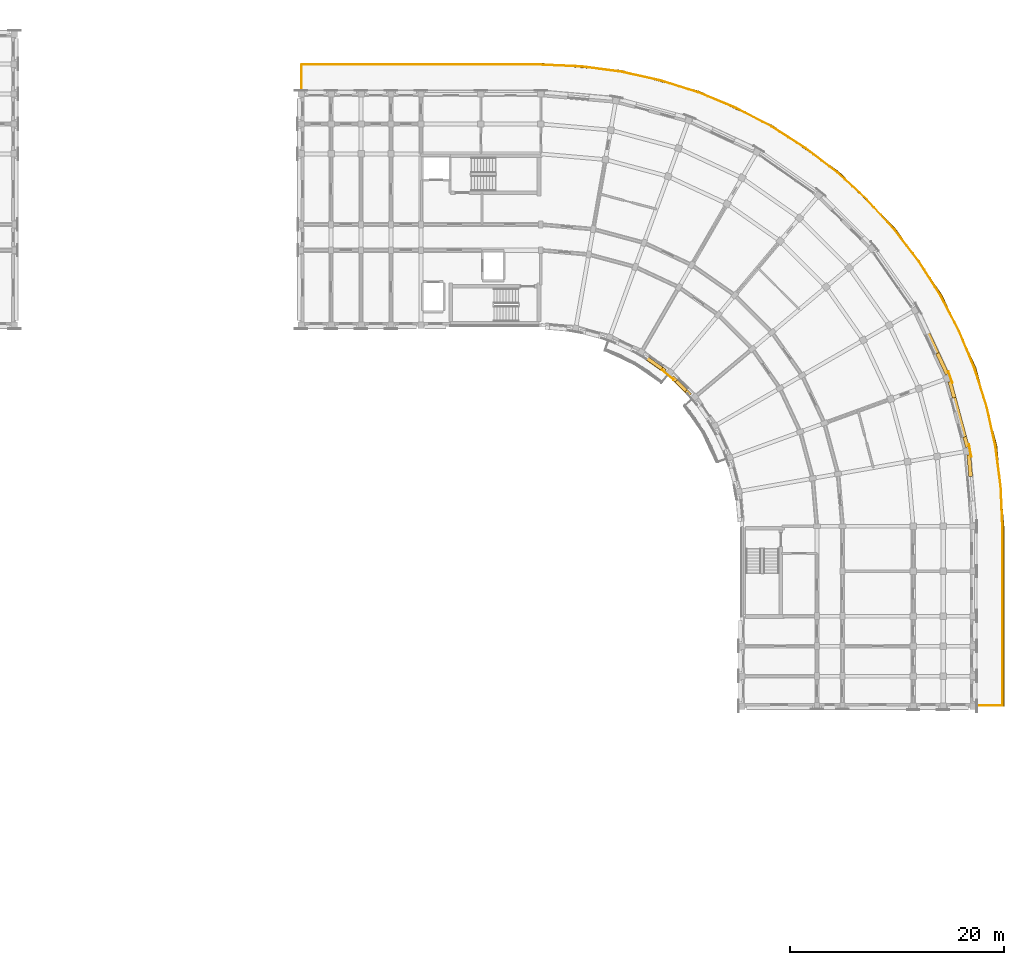
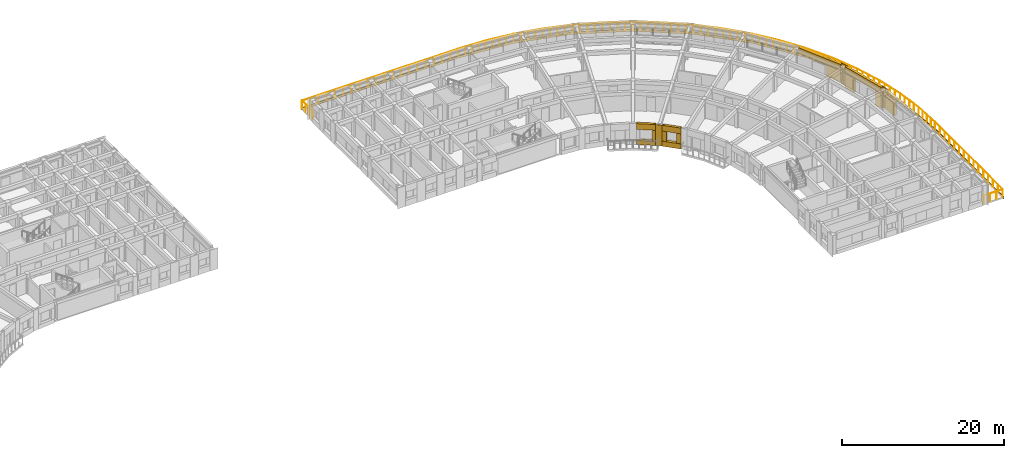
# One storey, part 40 of 41: 17 coverings, 1 railing.
"""IFC4 building model written with IfcOpenShell, lengths in metres."""

from ifc_helpers import new_model, si_unit, direction, frame, origin, origin_2d, place, context, subcontext, project, spatial, polyline, circle, outline, extrude, material, layer, layer_set, type_object, element, save


model = new_model("IFC4")

# Units and contexts
model_context = context("Model", 3, precision=1e-05, world=origin(), true_north=direction((0.0, 1.0)))
body_context = subcontext(model_context, "Body", "Model", "MODEL_VIEW")
ifc_project = project(units=[si_unit("LENGTHUNIT", "METRE"), si_unit("AREAUNIT", "SQUARE_METRE"), si_unit("VOLUMEUNIT", "CUBIC_METRE"), si_unit("PLANEANGLEUNIT", "RADIAN"), si_unit("MASSUNIT", "GRAM", prefix="KILO")], contexts=[model_context])

# Site, building, storey
site_placement = place(None, origin())
site = spatial("IfcSite", under=ifc_project, at=site_placement, CompositionType="ELEMENT")
building_placement = place(site_placement, origin())
building = spatial("IfcBuilding", under=site, at=building_placement, Name="Kiranvali Square Residences", CompositionType="ELEMENT")
storey_placement = place(building_placement, frame((0.0, 0.0, 33.89990234375)))
storey = spatial("IfcBuildingStorey", under=building, at=storey_placement, Name="L10", CompositionType="ELEMENT", Elevation=33.89990234375)

# Coverings
ifc_material_1 = material(Name="Carved Porbandar limestone classical entablature and cornice", Category="masonry")
ifc_layer_1 = layer(ifc_material_1, 0.449951171875)
ifc_layer_set_1 = layer_set([ifc_layer_1], Name="Carved Porbandar limestone classical entablature and cornice")
covering_type_1 = type_object("IfcCoveringType", Name="COV-CLAD-CORN", PredefinedType="CLADDING", material=ifc_layer_set_1)
covering_1_placement = place(storey_placement, frame((0.0, 0.0, -0.27978515625)))
element("IfcCovering", 1, at=covering_1_placement, inside=storey, type_object=covering_type_1, Name="Block B L10 stepped curved terrace stone cornice band", PredefinedType="CLADDING", context=body_context, shape_type="SweptSolid", body=[
    extrude(outline(polyline([(97.39990234375, 131.001953125), (119.800048828125, 131.001953125), (127.302001953125, 130.345703125), (134.575927734375, 128.396484375), (141.40087890625, 125.214111328125), (147.56982421875, 120.89453125), (152.89453125, 115.56982421875), (157.214111328125, 109.40087890625), (160.396484375, 102.575927734375), (162.345703125, 95.302001953125), (163.001953125, 87.800048828125), (163.001953125, 71.0), (163.0849609375, 71.0), (163.0849609375, 87.800048828125), (162.427490234375, 95.31640625), (160.474609375, 102.604248046875), (157.285888671875, 109.4423828125), (152.958251953125, 115.623046875), (147.623046875, 120.958251953125), (141.4423828125, 125.285888671875), (134.604248046875, 128.474609375), (127.31640625, 130.427490234375), (119.800048828125, 131.0849609375), (97.39990234375, 131.0849609375), (97.39990234375, 131.001953125)])), origin(), (0.0, 0.0, 1.0), 0.35986328125),
])
ifc_material_2 = material(Name="Honed Porbandar limestone ashlar facade cladding", Category="masonry")
ifc_layer_2 = layer(ifc_material_2, 0.3798828125)
ifc_layer_set_2 = layer_set([ifc_layer_2], Name="Honed Porbandar limestone ashlar facade cladding")
covering_type_2 = type_object("IfcCoveringType", Name="COV-CLAD-JAMB", PredefinedType="CLADDING", material=ifc_layer_set_2)
covering_2_placement = place(storey_placement, frame((0.0, 0.0, 0.530029296875)))
element("IfcCovering", 2, at=covering_2_placement, inside=storey, type_object=covering_type_2, Name="L10 deep limestone window jamb reveal B-L10-CRV-06.R", PredefinedType="CLADDING", context=body_context, shape_type="SweptSolid", body=[
    extrude(outline(polyline([(156.698486328125, 103.90283203125), (157.6162109375, 101.93505859375), (157.94189453125, 102.0869140625), (157.0244140625, 104.0546875), (156.698486328125, 103.90283203125)])), origin(), (0.0, 0.0, 1.0), 1.75),
])
covering_3_placement = place(storey_placement, origin())
element("IfcCovering", 3, at=covering_3_placement, inside=storey, type_object=covering_type_2, Name="L10 deep limestone window jamb reveal B-L10-CRV-07.L", PredefinedType="CLADDING", context=body_context, shape_type="SweptSolid", body=[
    extrude(outline(polyline([(157.854736328125, 101.27978515625), (158.260986328125, 99.763427734375), (158.608154296875, 99.8564453125), (158.201904296875, 101.372802734375), (157.854736328125, 101.27978515625)])), origin(), (0.0, 0.0, 1.0), 2.18017578125),
])
covering_4_placement = place(storey_placement, origin())
element("IfcCovering", 4, at=covering_4_placement, inside=storey, type_object=covering_type_2, Name="L10 deep limestone window jamb reveal B-L10-CRV-07.R", PredefinedType="CLADDING", context=body_context, shape_type="SweptSolid", body=[
    extrude(outline(polyline([(159.237548828125, 96.118408203125), (159.49609375, 95.153564453125), (159.84326171875, 95.24658203125), (159.584716796875, 96.211669921875), (159.237548828125, 96.118408203125)])), origin(), (0.0, 0.0, 1.0), 2.18017578125),
])
covering_5_placement = place(storey_placement, frame((0.0, 0.0, 0.380126953125)))
element("IfcCovering", 5, at=covering_5_placement, inside=storey, type_object=covering_type_2, Name="L10 deep limestone window jamb reveal B-L10-CRV-08.L", PredefinedType="CLADDING", context=body_context, shape_type="SweptSolid", body=[
    extrude(outline(polyline([(159.6171875, 94.466796875), (159.79345703125, 92.453369140625), (160.151611328125, 92.484619140625), (159.975341796875, 94.498046875), (159.6171875, 94.466796875)])), origin(), (0.0, 0.0, 1.0), 1.89990234375),
])
covering_6_placement = place(storey_placement, frame((0.0, 0.0, 0.6220703125)))
element("IfcCovering", 6, at=covering_6_placement, inside=storey, type_object=covering_type_2, Name="L10 deep limestone window jamb reveal B-L10-GDN-03.R", PredefinedType="CLADDING", context=body_context, shape_type="SweptSolid", body=[
    extrude(outline(polyline([(131.00244140625, 102.404052734375), (131.328857421875, 102.175537109375), (131.523681640625, 102.45361328125), (131.197265625, 102.68212890625), (131.00244140625, 102.404052734375)])), origin(), (0.0, 0.0, 1.0), 1.650146484375),
])
covering_7_placement = place(storey_placement, frame((0.0, 0.0, 0.772216796875)))
element("IfcCovering", 7, at=covering_7_placement, inside=storey, type_object=covering_type_2, Name="L10 deep limestone window jamb reveal B-L10-GDN-04.L", PredefinedType="CLADDING", context=body_context, shape_type="SweptSolid", body=[
    extrude(outline(polyline([(131.955078125, 101.650146484375), (132.343017578125, 101.26220703125), (132.5830078125, 101.502197265625), (132.195068359375, 101.89013671875), (131.955078125, 101.650146484375)])), origin(), (0.0, 0.0, 1.0), 1.5),
])
covering_8_placement = place(storey_placement, frame((0.0, 0.0, 0.772216796875)))
element("IfcCovering", 8, at=covering_8_placement, inside=storey, type_object=covering_type_2, Name="L10 deep limestone window jamb reveal B-L10-GDN-04.R", PredefinedType="CLADDING", context=body_context, shape_type="SweptSolid", body=[
    extrude(outline(polyline([(133.26220703125, 100.343017578125), (133.650146484375, 99.955078125), (133.89013671875, 100.195068359375), (133.502197265625, 100.5830078125), (133.26220703125, 100.343017578125)])), origin(), (0.0, 0.0, 1.0), 1.5),
])
ifc_layer_3 = layer(ifc_material_2, 0.06494140625)
ifc_layer_set_3 = layer_set([ifc_layer_3], Name="Honed Porbandar limestone ashlar facade cladding")
covering_type_3 = type_object("IfcCoveringType", Name="COV-CLAD-PIER", PredefinedType="CLADDING", material=ifc_layer_set_3)
covering_9_placement = place(storey_placement, frame((0.0, 0.0, 0.005126953125)))
element("IfcCovering", 9, at=covering_9_placement, inside=storey, type_object=covering_type_3, Name="L10 Classical limestone corner pilaster CLAD-PR-B-L10-A07", PredefinedType="CLADDING", context=body_context, shape_type="SweptSolid", body=[
    extrude(outline(polyline([(158.307861328125, 101.198486328125), (157.9111328125, 102.28857421875), (157.84765625, 102.265380859375), (158.244384765625, 101.17529296875), (158.307861328125, 101.198486328125)])), origin(), (0.0, 0.0, 1.0), 3.139892578125),
])
covering_10_placement = place(storey_placement, frame((0.0, 0.0, 0.005126953125)))
element("IfcCovering", 10, at=covering_10_placement, inside=storey, type_object=covering_type_3, Name="L10 Classical limestone corner pilaster CLAD-PR-B-L10-A08", PredefinedType="CLADDING", context=body_context, shape_type="SweptSolid", body=[
    extrude(outline(polyline([(160.04931640625, 94.30810546875), (159.847900390625, 95.450439453125), (159.781494140625, 95.438720703125), (159.98291015625, 94.29638671875), (160.04931640625, 94.30810546875)])), origin(), (0.0, 0.0, 1.0), 3.139892578125),
])
ifc_layer_4 = layer(ifc_material_2, 0.050048828125)
ifc_layer_set_4 = layer_set([ifc_layer_4], Name="Honed Porbandar limestone ashlar facade cladding")
covering_type_4 = type_object("IfcCoveringType", Name="COV-CLAD-PIER-IN", PredefinedType="CLADDING", material=ifc_layer_set_4)
covering_11_placement = place(storey_placement, frame((0.0, 0.0, 0.005126953125)))
element("IfcCovering", 11, at=covering_11_placement, inside=storey, type_object=covering_type_4, Name="L10 Classical garden courtyard pilaster CLAD-PRIN-B-L10-A04", PredefinedType="CLADDING", context=body_context, shape_type="SweptSolid", body=[
    extrude(outline(polyline([(131.111572265625, 102.36962890625), (132.18408203125, 101.4697265625), (132.2275390625, 101.521484375), (131.155029296875, 102.42138671875), (131.111572265625, 102.36962890625)])), origin(), (0.0, 0.0, 1.0), 3.139892578125),
])
ifc_layer_5 = layer(ifc_material_2, 0.360107421875)
ifc_layer_set_5 = layer_set([ifc_layer_5], Name="Honed Porbandar limestone ashlar facade cladding")
covering_type_5 = type_object("IfcCoveringType", Name="COV-CLAD-WALL", PredefinedType="CLADDING", material=ifc_layer_set_5)
covering_12_placement = place(storey_placement, frame((0.0, 0.0, 2.280029296875)))
element("IfcCovering", 12, at=covering_12_placement, inside=storey, type_object=covering_type_5, Name="L10 light limestone spandrel lintel B-L10-CRV-06", PredefinedType="CLADDING", context=body_context, shape_type="SweptSolid", body=[
    extrude(outline(polyline([(154.935791015625, 107.68310546875), (157.6162109375, 101.93505859375), (157.94189453125, 102.0869140625), (155.26171875, 107.8349609375), (154.935791015625, 107.68310546875)])), origin(), (0.0, 0.0, 1.0), 0.864990234375),
])
covering_13_placement = place(storey_placement, frame((0.0, 0.0, 2.18017578125)))
element("IfcCovering", 13, at=covering_13_placement, inside=storey, type_object=covering_type_5, Name="L10 light limestone spandrel lintel B-L10-CRV-07", PredefinedType="CLADDING", context=body_context, shape_type="SweptSolid", body=[
    extrude(outline(polyline([(157.854736328125, 101.27978515625), (159.49609375, 95.153564453125), (159.84326171875, 95.24658203125), (158.201904296875, 101.372802734375), (157.854736328125, 101.27978515625)])), origin(), (0.0, 0.0, 1.0), 0.96484375),
])
covering_14_placement = place(storey_placement, frame((0.0, 0.0, 2.272216796875)))
element("IfcCovering", 14, at=covering_14_placement, inside=storey, type_object=covering_type_5, Name="L10 light limestone spandrel lintel B-L10-GDN-03", PredefinedType="CLADDING", context=body_context, shape_type="SweptSolid", body=[
    extrude(outline(polyline([(129.365478515625, 103.55029296875), (131.328857421875, 102.175537109375), (131.523681640625, 102.45361328125), (129.56005859375, 103.828369140625), (129.365478515625, 103.55029296875)])), origin(), (0.0, 0.0, 1.0), 0.872802734375),
])
covering_15_placement = place(storey_placement, frame((0.0, 0.0, 2.272216796875)))
element("IfcCovering", 15, at=covering_15_placement, inside=storey, type_object=covering_type_5, Name="L10 light limestone spandrel lintel B-L10-GDN-04", PredefinedType="CLADDING", context=body_context, shape_type="SweptSolid", body=[
    extrude(outline(polyline([(131.955078125, 101.650146484375), (133.650146484375, 99.955078125), (133.89013671875, 100.195068359375), (132.195068359375, 101.89013671875), (131.955078125, 101.650146484375)])), origin(), (0.0, 0.0, 1.0), 0.872802734375),
])
ifc_layer_6 = layer(ifc_material_2, 0.320068359375)
ifc_layer_set_6 = layer_set([ifc_layer_6], Name="Honed Porbandar limestone ashlar facade cladding")
covering_type_6 = type_object("IfcCoveringType", Name="COV-CLAD-WALL-UP", PredefinedType="CLADDING", material=ifc_layer_set_6)
covering_16_placement = place(storey_placement, frame((0.0, 0.0, 0.005126953125)))
element("IfcCovering", 16, at=covering_16_placement, inside=storey, type_object=covering_type_6, Name="L10 limestone window sill apron B-L10-GDN-03", PredefinedType="CLADDING", context=body_context, shape_type="SweptSolid", body=[
    extrude(outline(polyline([(129.34814453125, 103.52587890625), (131.311767578125, 102.15087890625), (131.523681640625, 102.45361328125), (129.56005859375, 103.828369140625), (129.34814453125, 103.52587890625)])), origin(), (0.0, 0.0, 1.0), 0.616943359375),
])
covering_17_placement = place(storey_placement, frame((0.0, 0.0, 0.005126953125)))
element("IfcCovering", 17, at=covering_17_placement, inside=storey, type_object=covering_type_6, Name="L10 limestone window sill apron B-L10-GDN-04", PredefinedType="CLADDING", context=body_context, shape_type="SweptSolid", body=[
    extrude(outline(polyline([(131.933837890625, 101.62890625), (133.62890625, 99.933837890625), (133.89013671875, 100.195068359375), (132.195068359375, 101.89013671875), (131.933837890625, 101.62890625)])), origin(), (0.0, 0.0, 1.0), 0.76708984375),
])

# Railing
ifc_material_3 = material(Name="Powder-coated architectural bronze balustrade", Category="steel")
railing_type = type_object("IfcRailingType", Name="RL-TER-GOLD-1200", PredefinedType="BALUSTRADE", material=ifc_material_3)
railing_placement = place(storey_placement, frame((97.449951171875, 128.239990234375, 0.0)))
element("IfcRailing", 18, at=railing_placement, inside=storey, type_object=railing_type, Name="Block B L10 stepped curved corner terrace gold balustrade", PredefinedType="BALUSTRADE", context=body_context, shape_type="SweptSolid", body=[
    extrude(circle(Radius=0.02392578125, at=origin_2d()), frame((0.0, 0.0, 1.17578125), z_axis=(0.0, 1.0, 0.0), x_axis=(-1.0, 0.0, 0.0)), (0.0, 0.0, 1.0), 2.699951171875),
    extrude(circle(Radius=0.02392578125, at=origin_2d()), frame((0.0, 2.699951171875, 1.17578125), z_axis=(1.0, 0.0, 0.0), x_axis=(0.0, 1.0, 0.0)), (0.0, 0.0, 1.0), 22.35009765625),
    extrude(circle(Radius=0.02392578125, at=origin_2d()), frame((22.35009765625, 2.699951171875, 1.17578125), z_axis=(0.999049291375, -0.043594878169, 0.0), x_axis=(0.043594878169, 0.999049291375, 0.0)), (0.0, 0.0, 1.0), 3.763427734375),
    extrude(circle(Radius=0.02392578125, at=origin_2d()), frame((26.10986328125, 2.535888671875, 1.17578125), z_axis=(0.991446345244, -0.130514920612, 0.0), x_axis=(0.130514920612, 0.991446345244, 0.0)), (0.0, 0.0, 1.0), 3.763671875),
    extrude(circle(Radius=0.02392578125, at=origin_2d()), frame((29.84130859375, 2.044677734375, 1.17578125), z_axis=(0.976286176868, -0.216483950575, 0.0), x_axis=(0.216483950575, 0.976286176868, 0.0)), (0.0, 0.0, 1.0), 3.763427734375),
    extrude(circle(Radius=0.02392578125, at=origin_2d()), frame((33.515380859375, 1.22998046875, 1.17578125), z_axis=(0.953726676366, -0.300674952045, 0.0), x_axis=(0.300674952045, 0.953726676366, 0.0)), (0.0, 0.0, 1.0), 3.763427734375),
    extrude(circle(Radius=0.02392578125, at=origin_2d()), frame((37.104736328125, 0.098388671875, 1.17578125), z_axis=(0.923884797313, -0.382670721763, 0.0), x_axis=(0.382670721763, 0.923884797313, 0.0)), (0.0, 0.0, 1.0), 3.763427734375),
    extrude(circle(Radius=0.02392578125, at=origin_2d()), frame((40.581787109375, -1.341796875, 1.17578125), z_axis=(0.887017046177, -0.461736677979, 0.0), x_axis=(0.461736677979, 0.887017046177, 0.0)), (0.0, 0.0, 1.0), 3.763671875),
    extrude(circle(Radius=0.02392578125, at=origin_2d()), frame((43.920166015625, -3.07958984375, 1.17578125), z_axis=(0.843378230808, -0.537320351187, 0.0), x_axis=(0.537320351187, 0.843378230808, 0.0)), (0.0, 0.0, 1.0), 3.763427734375),
    extrude(circle(Radius=0.02392578125, at=origin_2d()), frame((47.09423828125, -5.101806640625, 1.17578125), z_axis=(0.793342115152, -0.608776057616, 0.0), x_axis=(0.608776057616, 0.793342115152, 0.0)), (0.0, 0.0, 1.0), 3.763427734375),
    extrude(circle(Radius=0.02392578125, at=origin_2d()), frame((50.079833984375, -7.392822265625, 1.17578125), z_axis=(0.737310297647, -0.675554235412, 0.0), x_axis=(0.675554235412, 0.737310297647, 0.0)), (0.0, 0.0, 1.0), 3.763427734375),
    extrude(circle(Radius=0.02392578125, at=origin_2d()), frame((52.854736328125, -9.935302734375, 1.17578125), z_axis=(0.675554235412, -0.737310297647, 0.0), x_axis=(0.737310297647, 0.675554235412, 0.0)), (0.0, 0.0, 1.0), 3.763427734375),
    extrude(circle(Radius=0.02392578125, at=origin_2d()), frame((55.397216796875, -12.710205078125, 1.17578125), z_axis=(0.608776057616, -0.793342115152, 0.0), x_axis=(0.793342115152, 0.608776057616, 0.0)), (0.0, 0.0, 1.0), 3.763427734375),
    extrude(circle(Radius=0.02392578125, at=origin_2d()), frame((57.688232421875, -15.69580078125, 1.17578125), z_axis=(0.537320351187, -0.843378230808, 0.0), x_axis=(0.843378230808, 0.537320351187, 0.0)), (0.0, 0.0, 1.0), 3.763427734375),
    extrude(circle(Radius=0.02392578125, at=origin_2d()), frame((59.71044921875, -18.869873046875, 1.17578125), z_axis=(0.461736677979, -0.887017046177, 0.0), x_axis=(0.887017046177, 0.461736677979, 0.0)), (0.0, 0.0, 1.0), 3.763671875),
    extrude(circle(Radius=0.02392578125, at=origin_2d()), frame((61.4482421875, -22.208251953125, 1.17578125), z_axis=(0.382670721763, -0.923884797313, 0.0), x_axis=(0.923884797313, 0.382670721763, 0.0)), (0.0, 0.0, 1.0), 3.763427734375),
    extrude(circle(Radius=0.02392578125, at=origin_2d()), frame((62.888427734375, -25.685302734375, 1.17578125), z_axis=(0.300674952045, -0.953726676366, 0.0), x_axis=(0.953726676366, 0.300674952045, 0.0)), (0.0, 0.0, 1.0), 3.763427734375),
    extrude(circle(Radius=0.02392578125, at=origin_2d()), frame((64.02001953125, -29.274658203125, 1.17578125), z_axis=(0.216483950575, -0.976286176868, 0.0), x_axis=(0.976286176868, 0.216483950575, 0.0)), (0.0, 0.0, 1.0), 3.763427734375),
    extrude(circle(Radius=0.02392578125, at=origin_2d()), frame((64.834716796875, -32.94873046875, 1.17578125), z_axis=(0.130514920612, -0.991446345244, 0.0), x_axis=(0.991446345244, 0.130514920612, 0.0)), (0.0, 0.0, 1.0), 3.763671875),
    extrude(circle(Radius=0.02392578125, at=origin_2d()), frame((65.325927734375, -36.68017578125, 1.17578125), z_axis=(0.043594878169, -0.999049291375, 0.0), x_axis=(0.999049291375, 0.043594878169, 0.0)), (0.0, 0.0, 1.0), 3.763427734375),
    extrude(circle(Radius=0.02392578125, at=origin_2d()), frame((65.489990234375, -40.43994140625, 1.17578125), z_axis=(0.0, -1.0, 0.0), x_axis=(1.0, 0.0, 0.0)), (0.0, 0.0, 1.0), 16.75),
    extrude(circle(Radius=0.02392578125, at=origin_2d()), frame((65.489990234375, -57.18994140625, 1.17578125), z_axis=(-1.0, 0.0, 0.0), x_axis=(0.0, -1.0, 0.0)), (0.0, 0.0, 1.0), 2.699951171875),
    extrude(circle(Radius=0.02099609375, at=origin_2d()), origin(), (0.0, 0.0, 1.0), 1.15185546875),
    extrude(circle(Radius=0.02099609375, at=origin_2d()), frame((0.0, 0.89990234375, 0.0)), (0.0, 0.0, 1.0), 1.15185546875),
    extrude(circle(Radius=0.02099609375, at=origin_2d()), frame((0.0, 1.800048828125, 0.0)), (0.0, 0.0, 1.0), 1.15185546875),
    extrude(circle(Radius=0.02099609375, at=origin_2d()), frame((0.0, 2.699951171875, 0.0)), (0.0, 0.0, 1.0), 1.15185546875),
    extrude(circle(Radius=0.02099609375, at=origin_2d()), frame((1.17626953125, 2.699951171875, 0.0)), (0.0, 0.0, 1.0), 1.15185546875),
    extrude(circle(Radius=0.02099609375, at=origin_2d()), frame((2.3525390625, 2.699951171875, 0.0)), (0.0, 0.0, 1.0), 1.15185546875),
    extrude(circle(Radius=0.02099609375, at=origin_2d()), frame((3.529052734375, 2.699951171875, 0.0)), (0.0, 0.0, 1.0), 1.15185546875),
    extrude(circle(Radius=0.02099609375, at=origin_2d()), frame((4.705322265625, 2.699951171875, 0.0)), (0.0, 0.0, 1.0), 1.15185546875),
    extrude(circle(Radius=0.02099609375, at=origin_2d()), frame((5.881591796875, 2.699951171875, 0.0)), (0.0, 0.0, 1.0), 1.15185546875),
    extrude(circle(Radius=0.02099609375, at=origin_2d()), frame((7.057861328125, 2.699951171875, 0.0)), (0.0, 0.0, 1.0), 1.15185546875),
    extrude(circle(Radius=0.02099609375, at=origin_2d()), frame((8.234130859375, 2.699951171875, 0.0)), (0.0, 0.0, 1.0), 1.15185546875),
    extrude(circle(Radius=0.02099609375, at=origin_2d()), frame((9.41064453125, 2.699951171875, 0.0)), (0.0, 0.0, 1.0), 1.15185546875),
    extrude(circle(Radius=0.02099609375, at=origin_2d()), frame((10.5869140625, 2.699951171875, 0.0)), (0.0, 0.0, 1.0), 1.15185546875),
    extrude(circle(Radius=0.02099609375, at=origin_2d()), frame((11.76318359375, 2.699951171875, 0.0)), (0.0, 0.0, 1.0), 1.15185546875),
    extrude(circle(Radius=0.02099609375, at=origin_2d()), frame((12.939453125, 2.699951171875, 0.0)), (0.0, 0.0, 1.0), 1.15185546875),
    extrude(circle(Radius=0.02099609375, at=origin_2d()), frame((14.115966796875, 2.699951171875, 0.0)), (0.0, 0.0, 1.0), 1.15185546875),
    extrude(circle(Radius=0.02099609375, at=origin_2d()), frame((15.292236328125, 2.699951171875, 0.0)), (0.0, 0.0, 1.0), 1.15185546875),
    extrude(circle(Radius=0.02099609375, at=origin_2d()), frame((16.468505859375, 2.699951171875, 0.0)), (0.0, 0.0, 1.0), 1.15185546875),
    extrude(circle(Radius=0.02099609375, at=origin_2d()), frame((17.644775390625, 2.699951171875, 0.0)), (0.0, 0.0, 1.0), 1.15185546875),
    extrude(circle(Radius=0.02099609375, at=origin_2d()), frame((18.821044921875, 2.699951171875, 0.0)), (0.0, 0.0, 1.0), 1.15185546875),
    extrude(circle(Radius=0.02099609375, at=origin_2d()), frame((19.99755859375, 2.699951171875, 0.0)), (0.0, 0.0, 1.0), 1.15185546875),
    extrude(circle(Radius=0.02099609375, at=origin_2d()), frame((21.173828125, 2.699951171875, 0.0)), (0.0, 0.0, 1.0), 1.15185546875),
    extrude(circle(Radius=0.02099609375, at=origin_2d()), frame((22.35009765625, 2.699951171875, 0.0)), (0.0, 0.0, 1.0), 1.15185546875),
    extrude(circle(Radius=0.02099609375, at=origin_2d()), frame((23.2900390625, 2.658935546875, 0.0)), (0.0, 0.0, 1.0), 1.15185546875),
    extrude(circle(Radius=0.02099609375, at=origin_2d()), frame((24.22998046875, 2.617919921875, 0.0)), (0.0, 0.0, 1.0), 1.15185546875),
    extrude(circle(Radius=0.02099609375, at=origin_2d()), frame((25.169921875, 2.576904296875, 0.0)), (0.0, 0.0, 1.0), 1.15185546875),
    extrude(circle(Radius=0.02099609375, at=origin_2d()), frame((26.10986328125, 2.535888671875, 0.0)), (0.0, 0.0, 1.0), 1.15185546875),
    extrude(circle(Radius=0.02099609375, at=origin_2d()), frame((27.042724609375, 2.4130859375, 0.0)), (0.0, 0.0, 1.0), 1.15185546875),
    extrude(circle(Radius=0.02099609375, at=origin_2d()), frame((27.9755859375, 2.290283203125, 0.0)), (0.0, 0.0, 1.0), 1.15185546875),
    extrude(circle(Radius=0.02099609375, at=origin_2d()), frame((28.908447265625, 2.16748046875, 0.0)), (0.0, 0.0, 1.0), 1.15185546875),
    extrude(circle(Radius=0.02099609375, at=origin_2d()), frame((29.84130859375, 2.044677734375, 0.0)), (0.0, 0.0, 1.0), 1.15185546875),
    extrude(circle(Radius=0.02099609375, at=origin_2d()), frame((30.759765625, 1.841064453125, 0.0)), (0.0, 0.0, 1.0), 1.15185546875),
    extrude(circle(Radius=0.02099609375, at=origin_2d()), frame((31.67822265625, 1.63720703125, 0.0)), (0.0, 0.0, 1.0), 1.15185546875),
    extrude(circle(Radius=0.02099609375, at=origin_2d()), frame((32.596923828125, 1.43359375, 0.0)), (0.0, 0.0, 1.0), 1.15185546875),
    extrude(circle(Radius=0.02099609375, at=origin_2d()), frame((33.515380859375, 1.22998046875, 0.0)), (0.0, 0.0, 1.0), 1.15185546875),
    extrude(circle(Radius=0.02099609375, at=origin_2d()), frame((34.41259765625, 0.947021484375, 0.0)), (0.0, 0.0, 1.0), 1.15185546875),
    extrude(circle(Radius=0.02099609375, at=origin_2d()), frame((35.31005859375, 0.6640625, 0.0)), (0.0, 0.0, 1.0), 1.15185546875),
    extrude(circle(Radius=0.02099609375, at=origin_2d()), frame((36.20751953125, 0.38134765625, 0.0)), (0.0, 0.0, 1.0), 1.15185546875),
    extrude(circle(Radius=0.02099609375, at=origin_2d()), frame((37.104736328125, 0.098388671875, 0.0)), (0.0, 0.0, 1.0), 1.15185546875),
    extrude(circle(Radius=0.02099609375, at=origin_2d()), frame((37.97412109375, -0.26171875, 0.0)), (0.0, 0.0, 1.0), 1.15185546875),
    extrude(circle(Radius=0.02099609375, at=origin_2d()), frame((38.84326171875, -0.62158203125, 0.0)), (0.0, 0.0, 1.0), 1.15185546875),
    extrude(circle(Radius=0.02099609375, at=origin_2d()), frame((39.71240234375, -0.981689453125, 0.0)), (0.0, 0.0, 1.0), 1.15185546875),
    extrude(circle(Radius=0.02099609375, at=origin_2d()), frame((40.581787109375, -1.341796875, 0.0)), (0.0, 0.0, 1.0), 1.15185546875),
    extrude(circle(Radius=0.02099609375, at=origin_2d()), frame((41.41650390625, -1.7763671875, 0.0)), (0.0, 0.0, 1.0), 1.15185546875),
    extrude(circle(Radius=0.02099609375, at=origin_2d()), frame((42.2509765625, -2.210693359375, 0.0)), (0.0, 0.0, 1.0), 1.15185546875),
    extrude(circle(Radius=0.02099609375, at=origin_2d()), frame((43.08544921875, -2.64501953125, 0.0)), (0.0, 0.0, 1.0), 1.15185546875),
    extrude(circle(Radius=0.02099609375, at=origin_2d()), frame((43.920166015625, -3.07958984375, 0.0)), (0.0, 0.0, 1.0), 1.15185546875),
    extrude(circle(Radius=0.02099609375, at=origin_2d()), frame((44.713623046875, -3.585205078125, 0.0)), (0.0, 0.0, 1.0), 1.15185546875),
    extrude(circle(Radius=0.02099609375, at=origin_2d()), frame((45.50732421875, -4.0908203125, 0.0)), (0.0, 0.0, 1.0), 1.15185546875),
    extrude(circle(Radius=0.02099609375, at=origin_2d()), frame((46.30078125, -4.59619140625, 0.0)), (0.0, 0.0, 1.0), 1.15185546875),
    extrude(circle(Radius=0.02099609375, at=origin_2d()), frame((47.09423828125, -5.101806640625, 0.0)), (0.0, 0.0, 1.0), 1.15185546875),
    extrude(circle(Radius=0.02099609375, at=origin_2d()), frame((47.840576171875, -5.674560546875, 0.0)), (0.0, 0.0, 1.0), 1.15185546875),
    extrude(circle(Radius=0.02099609375, at=origin_2d()), frame((48.5869140625, -6.247314453125, 0.0)), (0.0, 0.0, 1.0), 1.15185546875),
    extrude(circle(Radius=0.02099609375, at=origin_2d()), frame((49.33349609375, -6.820068359375, 0.0)), (0.0, 0.0, 1.0), 1.15185546875),
    extrude(circle(Radius=0.02099609375, at=origin_2d()), frame((50.079833984375, -7.392822265625, 0.0)), (0.0, 0.0, 1.0), 1.15185546875),
    extrude(circle(Radius=0.02099609375, at=origin_2d()), frame((50.7734375, -8.0283203125, 0.0)), (0.0, 0.0, 1.0), 1.15185546875),
    extrude(circle(Radius=0.02099609375, at=origin_2d()), frame((51.46728515625, -8.6640625, 0.0)), (0.0, 0.0, 1.0), 1.15185546875),
    extrude(circle(Radius=0.02099609375, at=origin_2d()), frame((52.1611328125, -9.2998046875, 0.0)), (0.0, 0.0, 1.0), 1.15185546875),
    extrude(circle(Radius=0.02099609375, at=origin_2d()), frame((52.854736328125, -9.935302734375, 0.0)), (0.0, 0.0, 1.0), 1.15185546875),
    extrude(circle(Radius=0.02099609375, at=origin_2d()), frame((53.490234375, -10.62890625, 0.0)), (0.0, 0.0, 1.0), 1.15185546875),
    extrude(circle(Radius=0.02099609375, at=origin_2d()), frame((54.1259765625, -11.32275390625, 0.0)), (0.0, 0.0, 1.0), 1.15185546875),
    extrude(circle(Radius=0.02099609375, at=origin_2d()), frame((54.76171875, -12.0166015625, 0.0)), (0.0, 0.0, 1.0), 1.15185546875),
    extrude(circle(Radius=0.02099609375, at=origin_2d()), frame((55.397216796875, -12.710205078125, 0.0)), (0.0, 0.0, 1.0), 1.15185546875),
    extrude(circle(Radius=0.02099609375, at=origin_2d()), frame((55.969970703125, -13.45654296875, 0.0)), (0.0, 0.0, 1.0), 1.15185546875),
    extrude(circle(Radius=0.02099609375, at=origin_2d()), frame((56.542724609375, -14.203125, 0.0)), (0.0, 0.0, 1.0), 1.15185546875),
    extrude(circle(Radius=0.02099609375, at=origin_2d()), frame((57.115478515625, -14.949462890625, 0.0)), (0.0, 0.0, 1.0), 1.15185546875),
    extrude(circle(Radius=0.02099609375, at=origin_2d()), frame((57.688232421875, -15.69580078125, 0.0)), (0.0, 0.0, 1.0), 1.15185546875),
    extrude(circle(Radius=0.02099609375, at=origin_2d()), frame((58.19384765625, -16.4892578125, 0.0)), (0.0, 0.0, 1.0), 1.15185546875),
    extrude(circle(Radius=0.02099609375, at=origin_2d()), frame((58.69921875, -17.28271484375, 0.0)), (0.0, 0.0, 1.0), 1.15185546875),
    extrude(circle(Radius=0.02099609375, at=origin_2d()), frame((59.204833984375, -18.076416015625, 0.0)), (0.0, 0.0, 1.0), 1.15185546875),
    extrude(circle(Radius=0.02099609375, at=origin_2d()), frame((59.71044921875, -18.869873046875, 0.0)), (0.0, 0.0, 1.0), 1.15185546875),
    extrude(circle(Radius=0.02099609375, at=origin_2d()), frame((60.14501953125, -19.70458984375, 0.0)), (0.0, 0.0, 1.0), 1.15185546875),
    extrude(circle(Radius=0.02099609375, at=origin_2d()), frame((60.579345703125, -20.5390625, 0.0)), (0.0, 0.0, 1.0), 1.15185546875),
    extrude(circle(Radius=0.02099609375, at=origin_2d()), frame((61.013671875, -21.37353515625, 0.0)), (0.0, 0.0, 1.0), 1.15185546875),
    extrude(circle(Radius=0.02099609375, at=origin_2d()), frame((61.4482421875, -22.208251953125, 0.0)), (0.0, 0.0, 1.0), 1.15185546875),
    extrude(circle(Radius=0.02099609375, at=origin_2d()), frame((61.808349609375, -23.07763671875, 0.0)), (0.0, 0.0, 1.0), 1.15185546875),
    extrude(circle(Radius=0.02099609375, at=origin_2d()), frame((62.16845703125, -23.94677734375, 0.0)), (0.0, 0.0, 1.0), 1.15185546875),
    extrude(circle(Radius=0.02099609375, at=origin_2d()), frame((62.5283203125, -24.81591796875, 0.0)), (0.0, 0.0, 1.0), 1.15185546875),
    extrude(circle(Radius=0.02099609375, at=origin_2d()), frame((62.888427734375, -25.685302734375, 0.0)), (0.0, 0.0, 1.0), 1.15185546875),
    extrude(circle(Radius=0.02099609375, at=origin_2d()), frame((63.17138671875, -26.58251953125, 0.0)), (0.0, 0.0, 1.0), 1.15185546875),
    extrude(circle(Radius=0.02099609375, at=origin_2d()), frame((63.4541015625, -27.47998046875, 0.0)), (0.0, 0.0, 1.0), 1.15185546875),
    extrude(circle(Radius=0.02099609375, at=origin_2d()), frame((63.737060546875, -28.37744140625, 0.0)), (0.0, 0.0, 1.0), 1.15185546875),
    extrude(circle(Radius=0.02099609375, at=origin_2d()), frame((64.02001953125, -29.274658203125, 0.0)), (0.0, 0.0, 1.0), 1.15185546875),
    extrude(circle(Radius=0.02099609375, at=origin_2d()), frame((64.2236328125, -30.193115234375, 0.0)), (0.0, 0.0, 1.0), 1.15185546875),
    extrude(circle(Radius=0.02099609375, at=origin_2d()), frame((64.42724609375, -31.11181640625, 0.0)), (0.0, 0.0, 1.0), 1.15185546875),
    extrude(circle(Radius=0.02099609375, at=origin_2d()), frame((64.631103515625, -32.0302734375, 0.0)), (0.0, 0.0, 1.0), 1.15185546875),
    extrude(circle(Radius=0.02099609375, at=origin_2d()), frame((64.834716796875, -32.94873046875, 0.0)), (0.0, 0.0, 1.0), 1.15185546875),
    extrude(circle(Radius=0.02099609375, at=origin_2d()), frame((64.95751953125, -33.881591796875, 0.0)), (0.0, 0.0, 1.0), 1.15185546875),
    extrude(circle(Radius=0.02099609375, at=origin_2d()), frame((65.080322265625, -34.814453125, 0.0)), (0.0, 0.0, 1.0), 1.15185546875),
    extrude(circle(Radius=0.02099609375, at=origin_2d()), frame((65.203125, -35.747314453125, 0.0)), (0.0, 0.0, 1.0), 1.15185546875),
    extrude(circle(Radius=0.02099609375, at=origin_2d()), frame((65.325927734375, -36.68017578125, 0.0)), (0.0, 0.0, 1.0), 1.15185546875),
    extrude(circle(Radius=0.02099609375, at=origin_2d()), frame((65.366943359375, -37.6201171875, 0.0)), (0.0, 0.0, 1.0), 1.15185546875),
    extrude(circle(Radius=0.02099609375, at=origin_2d()), frame((65.407958984375, -38.56005859375, 0.0)), (0.0, 0.0, 1.0), 1.15185546875),
    extrude(circle(Radius=0.02099609375, at=origin_2d()), frame((65.448974609375, -39.5, 0.0)), (0.0, 0.0, 1.0), 1.15185546875),
    extrude(circle(Radius=0.02099609375, at=origin_2d()), frame((65.489990234375, -40.43994140625, 0.0)), (0.0, 0.0, 1.0), 1.15185546875),
    extrude(circle(Radius=0.02099609375, at=origin_2d()), frame((65.489990234375, -41.636474609375, 0.0)), (0.0, 0.0, 1.0), 1.15185546875),
    extrude(circle(Radius=0.02099609375, at=origin_2d()), frame((65.489990234375, -42.832763671875, 0.0)), (0.0, 0.0, 1.0), 1.15185546875),
    extrude(circle(Radius=0.02099609375, at=origin_2d()), frame((65.489990234375, -44.029296875, 0.0)), (0.0, 0.0, 1.0), 1.15185546875),
    extrude(circle(Radius=0.02099609375, at=origin_2d()), frame((65.489990234375, -45.2255859375, 0.0)), (0.0, 0.0, 1.0), 1.15185546875),
    extrude(circle(Radius=0.02099609375, at=origin_2d()), frame((65.489990234375, -46.422119140625, 0.0)), (0.0, 0.0, 1.0), 1.15185546875),
    extrude(circle(Radius=0.02099609375, at=origin_2d()), frame((65.489990234375, -47.618408203125, 0.0)), (0.0, 0.0, 1.0), 1.15185546875),
    extrude(circle(Radius=0.02099609375, at=origin_2d()), frame((65.489990234375, -48.81494140625, 0.0)), (0.0, 0.0, 1.0), 1.15185546875),
    extrude(circle(Radius=0.02099609375, at=origin_2d()), frame((65.489990234375, -50.011474609375, 0.0)), (0.0, 0.0, 1.0), 1.15185546875),
    extrude(circle(Radius=0.02099609375, at=origin_2d()), frame((65.489990234375, -51.207763671875, 0.0)), (0.0, 0.0, 1.0), 1.15185546875),
    extrude(circle(Radius=0.02099609375, at=origin_2d()), frame((65.489990234375, -52.404296875, 0.0)), (0.0, 0.0, 1.0), 1.15185546875),
    extrude(circle(Radius=0.02099609375, at=origin_2d()), frame((65.489990234375, -53.6005859375, 0.0)), (0.0, 0.0, 1.0), 1.15185546875),
    extrude(circle(Radius=0.02099609375, at=origin_2d()), frame((65.489990234375, -54.797119140625, 0.0)), (0.0, 0.0, 1.0), 1.15185546875),
    extrude(circle(Radius=0.02099609375, at=origin_2d()), frame((65.489990234375, -55.993408203125, 0.0)), (0.0, 0.0, 1.0), 1.15185546875),
    extrude(circle(Radius=0.02099609375, at=origin_2d()), frame((65.489990234375, -57.18994140625, 0.0)), (0.0, 0.0, 1.0), 1.15185546875),
    extrude(circle(Radius=0.02099609375, at=origin_2d()), frame((64.590087890625, -57.18994140625, 0.0)), (0.0, 0.0, 1.0), 1.15185546875),
    extrude(circle(Radius=0.02099609375, at=origin_2d()), frame((63.68994140625, -57.18994140625, 0.0)), (0.0, 0.0, 1.0), 1.15185546875),
    extrude(circle(Radius=0.02099609375, at=origin_2d()), frame((62.7900390625, -57.18994140625, 0.0)), (0.0, 0.0, 1.0), 1.15185546875),
])

save(model, "model.ifc")
